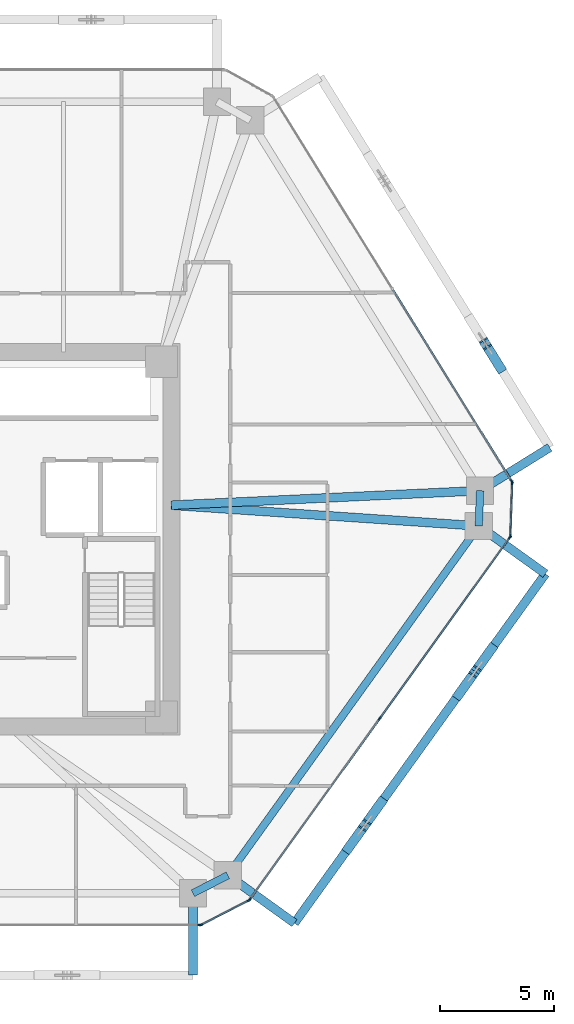
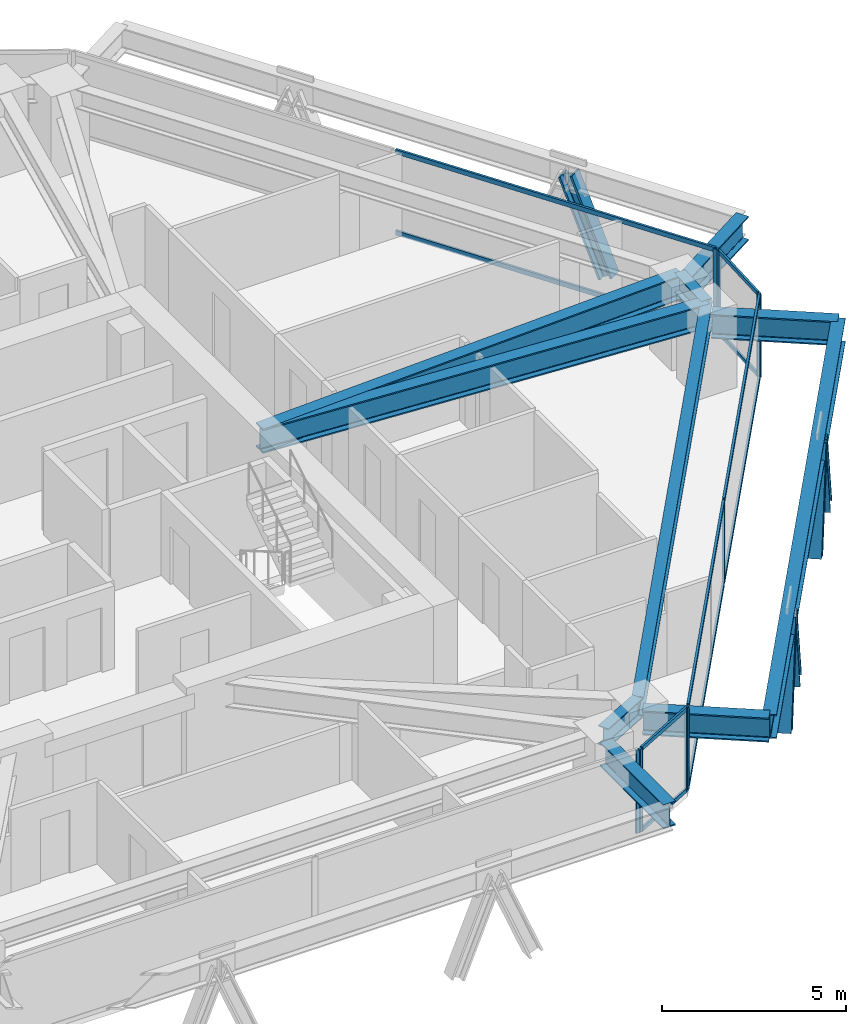
# One storey, part 5 of 17: 24 members, 10 beams, 5 elements without a shape of their own.
"""IFC4 building model written with IfcOpenShell, lengths in metres."""

from ifc_helpers import new_model, si_unit, direction, frame, origin, origin_2d, place, context, subcontext, project, spatial, rectangle, i_section, extrude, source, transform, mapped, material, layer, layer_set, material_profile, profile_set, type_object, type_shapes, element, aggregate, save


model = new_model("IFC4")

# Units and contexts
model_context = context("Model", 3, precision=1e-05, world=origin(), true_north=direction((0.0, 1.0)))
body_context = subcontext(model_context, "Body", "Model", "MODEL_VIEW")
ifc_project = project(units=[si_unit("LENGTHUNIT", "METRE"), si_unit("AREAUNIT", "SQUARE_METRE"), si_unit("VOLUMEUNIT", "CUBIC_METRE"), si_unit("PLANEANGLEUNIT", "RADIAN"), si_unit("MASSUNIT", "GRAM", prefix="KILO")], contexts=[model_context])

# Site, building, storey
site_placement = place(None, origin())
site = spatial("IfcSite", under=ifc_project, at=site_placement, CompositionType="ELEMENT")
building_placement = place(site_placement, origin())
building = spatial("IfcBuilding", under=site, at=building_placement, Name="Durnholm Broadcast Tower", CompositionType="ELEMENT")
storey_placement = place(building_placement, frame((0.0, 0.0, 143.10009765625)))
storey = spatial("IfcBuildingStorey", under=building, at=storey_placement, Name="L39", CompositionType="ELEMENT", Elevation=143.10009765625)

# Beams
ifc_material_1 = material(Name="Steel ASTM A992 Grade 50", Category="steel")
ifc_material_profile_1 = material_profile(ifc_material_1, i_section(OverallWidth=0.385009765625, OverallDepth=0.802978515625, WebThickness=0.023681640625, FlangeThickness=0.0419921875, FilletRadius=0.032958984375, at=origin_2d()), Name="W30X261")
ifc_profile_set_1 = profile_set([ifc_material_profile_1], Name="Steel ASTM A992 Grade 50")
beam_type_1 = type_object("IfcBeamType", Name="BM-EXO-TIE", PredefinedType="USERDEFINED", material=ifc_profile_set_1)
shared_shape_1 = source(origin(), body_context, "Body", "SweptSolid", [
    extrude(i_section(OverallWidth=0.385009765625, OverallDepth=0.802978515625, WebThickness=0.023681640625, FlangeThickness=0.0419921875, FilletRadius=0.032958984375, at=origin_2d()), origin(), (0.0, 0.0, 1.0), 3.4560546875),
])
for number, where, z_axis, x_axis, name in (
    (1, (11.176025390625, -15.680908203125, 2.008544921875), (0.0, -1.0, 0.0), (1.0, 0.0, 0.0), "L39 exoskeleton stand-off tie bracket F1.2"),
    (2, (12.826904296875, -14.834228515625, 2.008544921875), (0.812164951739, -0.583427880005, 0.0), (0.583427880005, 0.812164951739, 0.0), "L39 exoskeleton stand-off tie bracket F2.1"),
    (3, (23.844970703125, 0.5029296875, 2.008544921875), (0.812164951739, -0.583427880005, 0.0), (0.583427880005, 0.812164951739, 0.0), "L39 exoskeleton stand-off tie bracket F2.2"),
    (4, (23.903076171875, 2.21240234375, 2.008544921875), (0.849795112316, 0.527113144481, 0.0), (-0.527113144481, 0.849795112316, 0.0), "L39 exoskeleton stand-off tie bracket F3.1"),
):
    element("IfcBeam", number, at=place(storey_placement, frame(where, z_axis=z_axis, x_axis=x_axis)), inside=storey, type_object=beam_type_1, Name=name, ObjectType="GIRDER", PredefinedType="USERDEFINED", context=body_context, shape_type="MappedRepresentation", body=[
        mapped(shared_shape_1, transform((0.0, 0.0, 0.0), x_axis=(1.0, 0.0, 0.0), y_axis=(0.0, 1.0, 0.0), z_axis=(0.0, 0.0, 1.0), scale=1.0)),
    ])
ifc_material_profile_2 = material_profile(ifc_material_1, i_section(OverallWidth=0.3291015625, OverallDepth=0.635009765625, WebThickness=0.017822265625, FlangeThickness=0.031005859375, FilletRadius=0.02783203125, at=origin_2d()), Name="W24X162")
ifc_profile_set_2 = profile_set([ifc_material_profile_2], Name="Steel ASTM A992 Grade 50")
beam_type_2 = type_object("IfcBeamType", Name="STL-SP-W24X162", PredefinedType="SPANDREL", material=ifc_profile_set_2)
shared_shape_2 = source(origin(), body_context, "Body", "SweptSolid", [
    extrude(i_section(OverallWidth=0.3291015625, OverallDepth=0.635009765625, WebThickness=0.017822265625, FlangeThickness=0.031005859375, FilletRadius=0.02783203125, at=origin_2d()), origin(), (0.0, 0.0, 1.0), 18.884521484375),
])
beam_1_placement = place(storey_placement, frame((23.72802734375, 0.5869140625, 2.427490234375), z_axis=(-0.583443434414, -0.812153777827, 0.0), x_axis=(0.812153777827, -0.583443434414, 0.0)))
element("IfcBeam", 5, at=beam_1_placement, inside=storey, type_object=beam_type_2, Name="L39 perimeter spandrel girder 09", PredefinedType="SPANDREL", context=body_context, shape_type="MappedRepresentation", body=[
    mapped(shared_shape_2, transform((0.0, 0.0, 0.0), x_axis=(1.0, 0.0, 0.0), y_axis=(0.0, 1.0, 0.0), z_axis=(0.0, 0.0, 1.0), scale=1.0)),
])
shared_shape_3 = source(origin(), body_context, "Body", "SweptSolid", [
    extrude(i_section(OverallWidth=0.3291015625, OverallDepth=0.635009765625, WebThickness=0.017822265625, FlangeThickness=0.031005859375, FilletRadius=0.02783203125, at=origin_2d()), origin(), (0.0, 0.0, 1.0), 1.723876953125),
])
beam_2_placement = place(storey_placement, frame((12.7099609375, -14.750244140625, 2.427490234375), z_axis=(-0.889762904339, -0.456423020959, 0.0), x_axis=(0.456423020959, -0.889762904339, 0.0)))
element("IfcBeam", 6, at=beam_2_placement, inside=storey, type_object=beam_type_2, Name="L39 perimeter spandrel girder 10", PredefinedType="SPANDREL", context=body_context, shape_type="MappedRepresentation", body=[
    mapped(shared_shape_3, transform((0.0, 0.0, 0.0), x_axis=(1.0, 0.0, 0.0), y_axis=(0.0, 1.0, 0.0), z_axis=(0.0, 0.0, 1.0), scale=1.0)),
])
shared_shape_4 = source(origin(), body_context, "Body", "SweptSolid", [
    extrude(i_section(OverallWidth=0.3291015625, OverallDepth=0.635009765625, WebThickness=0.017822265625, FlangeThickness=0.031005859375, FilletRadius=0.02783203125, at=origin_2d()), origin(), (0.0, 0.0, 1.0), 1.55078125),
])
type_shapes(beam_type_2, [shared_shape_2, shared_shape_3, shared_shape_4])
beam_3_placement = place(storey_placement, frame((23.78076171875, 2.13671875, 2.427490234375), z_axis=(-0.03400678419, -0.999421602042, 0.0), x_axis=(0.999421602042, -0.03400678419, 0.0)))
element("IfcBeam", 7, at=beam_3_placement, inside=storey, type_object=beam_type_2, Name="L39 perimeter spandrel girder 08", PredefinedType="SPANDREL", context=body_context, shape_type="MappedRepresentation", body=[
    mapped(shared_shape_4, transform((0.0, 0.0, 0.0), x_axis=(1.0, 0.0, 0.0), y_axis=(0.0, 1.0, 0.0), z_axis=(0.0, 0.0, 1.0), scale=1.0)),
])
ifc_material_profile_3 = material_profile(ifc_material_1, i_section(OverallWidth=0.385009765625, OverallDepth=0.802978515625, WebThickness=0.023681640625, FlangeThickness=0.0419921875, FilletRadius=0.032958984375, at=origin_2d()), Name="W30X261")
ifc_profile_set_3 = profile_set([ifc_material_profile_3], Name="Steel ASTM A992 Grade 50")
beam_type_3 = type_object("IfcBeamType", Name="STL-GR-W30X261", PredefinedType="USERDEFINED", material=ifc_profile_set_3)
shared_shape_5 = source(origin(), body_context, "Body", "SweptSolid", [
    extrude(i_section(OverallWidth=0.385009765625, OverallDepth=0.802978515625, WebThickness=0.023681640625, FlangeThickness=0.0419921875, FilletRadius=0.032958984375, at=origin_2d()), origin(), (0.0, 0.0, 1.0), 13.570556640625),
])
beam_4_placement = place(storey_placement, frame((10.22509765625, 1.5, 2.343505859375), z_axis=(0.99889869961, 0.046918950518, 0.0), x_axis=(-0.046918950518, 0.99889869961, 0.0)))
element("IfcBeam", 8, at=beam_4_placement, inside=storey, type_object=beam_type_3, Name="L39 radial primary floor girder 08", ObjectType="GIRDER", PredefinedType="USERDEFINED", context=body_context, shape_type="MappedRepresentation", body=[
    mapped(shared_shape_5, transform((0.0, 0.0, 0.0), x_axis=(1.0, 0.0, 0.0), y_axis=(0.0, 1.0, 0.0), z_axis=(0.0, 0.0, 1.0), scale=1.0)),
])
shared_shape_6 = source(origin(), body_context, "Body", "SweptSolid", [
    extrude(i_section(OverallWidth=0.385009765625, OverallDepth=0.802978515625, WebThickness=0.023681640625, FlangeThickness=0.0419921875, FilletRadius=0.032958984375, at=origin_2d()), origin(), (0.0, 0.0, 1.0), 13.53369140625),
])
type_shapes(beam_type_3, [shared_shape_5, shared_shape_6])
beam_5_placement = place(storey_placement, frame((10.22509765625, 1.5, 2.343505859375), z_axis=(0.99772148964, -0.067467244725, 0.0), x_axis=(0.067467244725, 0.99772148964, 0.0)))
element("IfcBeam", 9, at=beam_5_placement, inside=storey, type_object=beam_type_3, Name="L39 radial primary floor girder 09", ObjectType="GIRDER", PredefinedType="USERDEFINED", context=body_context, shape_type="MappedRepresentation", body=[
    mapped(shared_shape_6, transform((0.0, 0.0, 0.0), x_axis=(1.0, 0.0, 0.0), y_axis=(0.0, 1.0, 0.0), z_axis=(0.0, 0.0, 1.0), scale=1.0)),
])
shared_shape_7 = source(origin(), body_context, "Body", "SweptSolid", [
    extrude(i_section(OverallWidth=0.385009765625, OverallDepth=0.802978515625, WebThickness=0.023681640625, FlangeThickness=0.0419921875, FilletRadius=0.032958984375, at=origin_2d()), origin(), (0.0, 0.0, 1.0), 18.884521484375),
])
type_shapes(beam_type_1, [shared_shape_1, shared_shape_7])
beam_6_placement = place(storey_placement, frame((15.6337890625, -16.8505859375, 2.008544921875), z_axis=(0.583443434414, 0.812153777827, 0.0), x_axis=(-0.812153777827, 0.583443434414, 0.0)))
element("IfcBeam", 10, at=beam_6_placement, inside=storey, type_object=beam_type_1, Name="L39 exoskeleton collector spandrel F2", PredefinedType="SPANDREL", context=body_context, shape_type="MappedRepresentation", body=[
    mapped(shared_shape_7, transform((0.0, 0.0, 0.0), x_axis=(1.0, 0.0, 0.0), y_axis=(0.0, 1.0, 0.0), z_axis=(0.0, 0.0, 1.0), scale=1.0)),
])

# Members
ifc_material_2 = material(Name="Steel ASTM A913 Grade 65", Category="steel")
ifc_material_profile_4 = material_profile(ifc_material_2, i_section(OverallWidth=0.41845703125, OverallDepth=0.455078125, WebThickness=0.0419921875, FlangeThickness=0.067626953125, FilletRadius=0.030517578125, at=origin_2d()), Name="W14X370")
ifc_profile_set_4 = profile_set([ifc_material_profile_4], Name="Steel ASTM A913 Grade 65")
member_type_1 = type_object("IfcMemberType", Name="STL-DG-W14X370", PredefinedType="BRACE", material=ifc_profile_set_4)
shared_shape_8 = source(origin(), body_context, "Body", "SweptSolid", [
    extrude(i_section(OverallWidth=0.41845703125, OverallDepth=0.455078125, WebThickness=0.0419921875, FlangeThickness=0.067626953125, FilletRadius=0.030517578125, at=origin_2d()), origin(), (0.0, 0.0, 1.0), 3.243896484375),
])
for number, where, z_axis, x_axis, name in (
    (11, (19.438720703125, -11.55419921875, -0.991455078125), (-0.221947394098, -0.308950170489, 0.924818439699), (0.812153063014, -0.583444429434, 0.0), "L39 stand-off diagrid brace F2.D1.2"),
    (12, (22.846923828125, -6.81005859375, -0.991455078125), (0.221947394098, 0.308950170489, 0.924818439699), (-0.812153063014, 0.583444429434, 0.0), "L39 stand-off diagrid brace F2.D2.1"),
    (13, (24.66552734375, 7.539794921875, -0.991455078125), (-0.200499851569, 0.323253326761, 0.924828144175), (-0.849805205368, -0.527096872433, 0.0), "L39 stand-off diagrid brace F3.D1.1"),
):
    element("IfcMember", number, at=place(storey_placement, frame(where, z_axis=z_axis, x_axis=x_axis)), inside=storey, type_object=member_type_1, Name=name, PredefinedType="BRACE", context=body_context, shape_type="MappedRepresentation", body=[
        mapped(shared_shape_8, transform((0.0, 0.0, 0.0), x_axis=(1.0, 0.0, 0.0), y_axis=(0.0, 1.0, 0.0), z_axis=(0.0, 0.0, 1.0), scale=1.0)),
    ])
shared_shape_9 = source(origin(), body_context, "Body", "SweptSolid", [
    extrude(i_section(OverallWidth=0.41845703125, OverallDepth=0.455078125, WebThickness=0.0419921875, FlangeThickness=0.067626953125, FilletRadius=0.030517578125, at=origin_2d()), origin(), (0.0, 0.0, 1.0), 3.24365234375),
])
type_shapes(member_type_1, [shared_shape_8, shared_shape_9])
for number, where, z_axis, x_axis, name in (
    (14, (17.9990234375, -13.558349609375, -0.991455078125), (0.22188099666, 0.308887249081, 0.924855389062), (-0.812179469647, 0.583407669717, 0.0), "L39 stand-off diagrid brace F2.D1.1"),
    (15, (24.28662109375, -4.805908203125, -0.991455078125), (-0.22188099666, -0.308887249081, 0.924855389062), (0.812179469647, -0.583407669717, 0.0), "L39 stand-off diagrid brace F2.D2.2"),
):
    element("IfcMember", number, at=place(storey_placement, frame(where, z_axis=z_axis, x_axis=x_axis)), inside=storey, type_object=member_type_1, Name=name, PredefinedType="BRACE", context=body_context, shape_type="MappedRepresentation", body=[
        mapped(shared_shape_9, transform((0.0, 0.0, 0.0), x_axis=(1.0, 0.0, 0.0), y_axis=(0.0, 1.0, 0.0), z_axis=(0.0, 0.0, 1.0), scale=1.0)),
    ])

# Curtain wall, members
ifc_material_3 = material(Name="Aluminium and Solar Control IGU", Category="aluminium")
ifc_layer_1 = layer(ifc_material_3, 0.1650390625)
ifc_layer_set_1 = layer_set([ifc_layer_1], Name="Aluminium and Solar Control IGU")
curtain_wall_type_1 = type_object("IfcCurtainWallType", Name="CW-SYS-5", PredefinedType="NOTDEFINED", material=ifc_layer_set_1)
curtain_wall_1_placement = place(storey_placement, origin())
curtain_wall_1 = element("IfcCurtainWall", 16, at=curtain_wall_1_placement, inside=storey, type_object=curtain_wall_type_1, Name="L39 curtain wall CW-CORNER CW-L39-CRN-07", PredefinedType="NOTDEFINED")
ifc_material_4 = material(Name="Aluminium 6063-T6", Category="aluminium")
ifc_material_profile_5 = material_profile(ifc_material_4, rectangle(XDim=0.06494140625, YDim=0.1650390625, at=origin_2d()), Name="CWM65X165")
ifc_profile_set_5 = profile_set([ifc_material_profile_5], Name="Aluminium 6063-T6")
member_type_2 = type_object("IfcMemberType", Name="CW-SYS-5-MUL", PredefinedType="MULLION", material=ifc_profile_set_5)
shared_shape_10 = source(origin(), body_context, "Body", "SweptSolid", [
    extrude(rectangle(XDim=0.06494140625, YDim=0.1650390625, at=origin_2d()), origin(), (0.0, 0.0, 1.0), 2.760009765625),
])
type_shapes(member_type_2, [shared_shape_10])
member_1_placement = place(storey_placement, frame((25.193115234375, 2.481201171875, 0.0), z_axis=(0.0, 0.0, 1.0), x_axis=(0.999424655155, -0.033916937775, 0.0)))
member_1 = element("IfcMember", 17, at=member_1_placement, type_object=member_type_2, Name="CW-CORNER mullion 1", PredefinedType="MULLION", context=body_context, shape_type="MappedRepresentation", body=[
    mapped(shared_shape_10, transform((0.0, 0.0, 0.0), x_axis=(1.0, 0.0, 0.0), y_axis=(0.0, 1.0, 0.0), z_axis=(0.0, 0.0, 1.0), scale=1.0)),
])
member_2_placement = place(storey_placement, frame((25.114013671875, 0.1474609375, 0.0), z_axis=(0.0, 0.0, 1.0), x_axis=(0.999424655155, -0.033916937775, 0.0)))
member_2 = element("IfcMember", 18, at=member_2_placement, type_object=member_type_2, Name="CW-CORNER mullion 2", PredefinedType="MULLION", context=body_context, shape_type="MappedRepresentation", body=[
    mapped(shared_shape_10, transform((0.0, 0.0, 0.0), x_axis=(1.0, 0.0, 0.0), y_axis=(0.0, 1.0, 0.0), z_axis=(0.0, 0.0, 1.0), scale=1.0)),
])

curtain_wall_2_placement = place(storey_placement, origin())
curtain_wall_2 = element("IfcCurtainWall", 19, at=curtain_wall_2_placement, inside=storey, type_object=curtain_wall_type_1, Name="L39 curtain wall CW-CORNER CW-L39-CRN-09", PredefinedType="NOTDEFINED")
member_3_placement = place(storey_placement, frame((13.620849609375, -15.8564453125, 0.0), z_axis=(0.0, 0.0, 1.0), x_axis=(0.45637332267, -0.889788396392, 0.0)))
member_3 = element("IfcMember", 20, at=member_3_placement, type_object=member_type_2, Name="CW-CORNER mullion 1", PredefinedType="MULLION", context=body_context, shape_type="MappedRepresentation", body=[
    mapped(shared_shape_10, transform((0.0, 0.0, 0.0), x_axis=(1.0, 0.0, 0.0), y_axis=(0.0, 1.0, 0.0), z_axis=(0.0, 0.0, 1.0), scale=1.0)),
])
member_4_placement = place(storey_placement, frame((11.543212890625, -16.922119140625, 0.0), z_axis=(0.0, 0.0, 1.0), x_axis=(0.45637332267, -0.889788396392, 0.0)))
member_4 = element("IfcMember", 21, at=member_4_placement, type_object=member_type_2, Name="CW-CORNER mullion 2", PredefinedType="MULLION", context=body_context, shape_type="MappedRepresentation", body=[
    mapped(shared_shape_10, transform((0.0, 0.0, 0.0), x_axis=(1.0, 0.0, 0.0), y_axis=(0.0, 1.0, 0.0), z_axis=(0.0, 0.0, 1.0), scale=1.0)),
])

# Curtain wall, member
ifc_layer_2 = layer(ifc_material_3, 0.18994140625)
ifc_layer_set_2 = layer_set([ifc_layer_2], Name="Aluminium and Solar Control IGU")
curtain_wall_type_2 = type_object("IfcCurtainWallType", Name="CW-SYS-3", PredefinedType="NOTDEFINED", material=ifc_layer_set_2)
curtain_wall_3_placement = place(storey_placement, origin())
curtain_wall_3 = element("IfcCurtainWall", 22, at=curtain_wall_3_placement, inside=storey, type_object=curtain_wall_type_2, Name="L39 curtain wall CW-Z12-VIS CW-L39-F06", PredefinedType="NOTDEFINED")
ifc_material_profile_6 = material_profile(ifc_material_4, rectangle(XDim=0.070068359375, YDim=0.18994140625, at=origin_2d()), Name="CWM70X190")
ifc_profile_set_6 = profile_set([ifc_material_profile_6], Name="Aluminium 6063-T6")
member_type_3 = type_object("IfcMemberType", Name="CW-SYS-3-MUL", PredefinedType="MULLION", material=ifc_profile_set_6)
shared_shape_11 = source(origin(), body_context, "Body", "SweptSolid", [
    extrude(rectangle(XDim=0.070068359375, YDim=0.18994140625, at=origin_2d()), origin(), (0.0, 0.0, 1.0), 2.760009765625),
])
type_shapes(member_type_3, [shared_shape_11])
member_5_placement = place(storey_placement, frame((25.17578125, 2.54345703125, 0.0), z_axis=(0.0, 0.0, 1.0), x_axis=(0.849799925229, 0.527105385176, 0.0)))
member_5 = element("IfcMember", 23, at=member_5_placement, type_object=member_type_3, Name="CW-Z12-VIS mullion 3", PredefinedType="MULLION", context=body_context, shape_type="MappedRepresentation", body=[
    mapped(shared_shape_11, transform((0.0, 0.0, 0.0), x_axis=(1.0, 0.0, 0.0), y_axis=(0.0, 1.0, 0.0), z_axis=(0.0, 0.0, 1.0), scale=1.0)),
])

# Curtain wall, members
curtain_wall_4_placement = place(storey_placement, origin())
curtain_wall_4 = element("IfcCurtainWall", 24, at=curtain_wall_4_placement, inside=storey, type_object=curtain_wall_type_2, Name="L39 curtain wall CW-Z12-VIS CW-L39-F08", PredefinedType="NOTDEFINED")
member_6_placement = place(storey_placement, frame((25.092529296875, 0.086669921875, 0.0), z_axis=(0.0, 0.0, 1.0), x_axis=(0.812152312759, -0.583445473786, 0.0)))
member_6 = element("IfcMember", 25, at=member_6_placement, type_object=member_type_3, Name="CW-Z12-VIS mullion 1", PredefinedType="MULLION", context=body_context, shape_type="MappedRepresentation", body=[
    mapped(shared_shape_11, transform((0.0, 0.0, 0.0), x_axis=(1.0, 0.0, 0.0), y_axis=(0.0, 1.0, 0.0), z_axis=(0.0, 0.0, 1.0), scale=1.0)),
])
member_7_placement = place(storey_placement, frame((19.38134765625, -7.86328125, 0.0), z_axis=(0.0, 0.0, 1.0), x_axis=(0.812152312759, -0.583445473786, 0.0)))
member_7 = element("IfcMember", 26, at=member_7_placement, type_object=member_type_3, Name="CW-Z12-VIS mullion 2", PredefinedType="MULLION", context=body_context, shape_type="MappedRepresentation", body=[
    mapped(shared_shape_11, transform((0.0, 0.0, 0.0), x_axis=(1.0, 0.0, 0.0), y_axis=(0.0, 1.0, 0.0), z_axis=(0.0, 0.0, 1.0), scale=1.0)),
])
member_8_placement = place(storey_placement, frame((13.670166015625, -15.813232421875, 0.0), z_axis=(0.0, 0.0, 1.0), x_axis=(0.812152312759, -0.583445473786, 0.0)))
member_8 = element("IfcMember", 27, at=member_8_placement, type_object=member_type_3, Name="CW-Z12-VIS mullion 3", PredefinedType="MULLION", context=body_context, shape_type="MappedRepresentation", body=[
    mapped(shared_shape_11, transform((0.0, 0.0, 0.0), x_axis=(1.0, 0.0, 0.0), y_axis=(0.0, 1.0, 0.0), z_axis=(0.0, 0.0, 1.0), scale=1.0)),
])

# Curtain wall, member
curtain_wall_5_placement = place(storey_placement, origin())
curtain_wall_5 = element("IfcCurtainWall", 28, at=curtain_wall_5_placement, inside=storey, type_object=curtain_wall_type_2, Name="L39 curtain wall CW-Z12-VIS CW-L39-F10", PredefinedType="NOTDEFINED")
member_9_placement = place(storey_placement, frame((11.479248046875, -16.93701171875, 0.0), z_axis=(0.0, 0.0, 1.0), x_axis=(0.0, -1.0, 0.0)))
member_9 = element("IfcMember", 29, at=member_9_placement, type_object=member_type_3, Name="CW-Z12-VIS mullion 1", PredefinedType="MULLION", context=body_context, shape_type="MappedRepresentation", body=[
    mapped(shared_shape_11, transform((0.0, 0.0, 0.0), x_axis=(1.0, 0.0, 0.0), y_axis=(0.0, 1.0, 0.0), z_axis=(0.0, 0.0, 1.0), scale=1.0)),
])
aggregate(curtain_wall_5, [member_9])

# Member
ifc_material_profile_7 = material_profile(ifc_material_4, rectangle(XDim=0.06494140625, YDim=0.1298828125, at=origin_2d()), Name="CWT65X130")
ifc_profile_set_7 = profile_set([ifc_material_profile_7], Name="Aluminium 6063-T6")
member_type_4 = type_object("IfcMemberType", Name="CW-SYS-5-TRN", PredefinedType="USERDEFINED", material=ifc_profile_set_7)
shared_shape_12 = source(origin(), body_context, "Body", "SweptSolid", [
    extrude(rectangle(XDim=0.06494140625, YDim=0.1298828125, at=origin_2d()), origin(), (0.0, 0.0, 1.0), 2.27001953125),
])
type_shapes(member_type_4, [shared_shape_12])
member_10_placement = place(storey_placement, frame((25.192138671875, 2.44873046875, 0.032470703125), z_axis=(-0.03398444704, -0.999422361847, 0.0), x_axis=(0.999422361847, -0.03398444704, 0.0)))
member_10 = element("IfcMember", 30, at=member_10_placement, type_object=member_type_4, Name="CW-CORNER transom 1.1", ObjectType="TRANSOM", PredefinedType="USERDEFINED", context=body_context, shape_type="MappedRepresentation", body=[
    mapped(shared_shape_12, transform((0.0, 0.0, 0.0), x_axis=(1.0, 0.0, 0.0), y_axis=(0.0, 1.0, 0.0), z_axis=(0.0, 0.0, 1.0), scale=1.0)),
])

member_11_placement = place(storey_placement, frame((25.192138671875, 2.44873046875, 2.727294921875), z_axis=(-0.03398444704, -0.999422361847, 0.0), x_axis=(0.999422361847, -0.03398444704, 0.0)))
member_11 = element("IfcMember", 31, at=member_11_placement, type_object=member_type_4, Name="CW-CORNER transom 1.2", ObjectType="TRANSOM", PredefinedType="USERDEFINED", context=body_context, shape_type="MappedRepresentation", body=[
    mapped(shared_shape_12, transform((0.0, 0.0, 0.0), x_axis=(1.0, 0.0, 0.0), y_axis=(0.0, 1.0, 0.0), z_axis=(0.0, 0.0, 1.0), scale=1.0)),
])

aggregate(curtain_wall_1, [member_1, member_2, member_10, member_11])

member_12_placement = place(storey_placement, frame((13.591796875, -15.871337890625, 0.032470703125), z_axis=(-0.889798425843, -0.456353767781, 0.0), x_axis=(0.456353767781, -0.889798425843, 0.0)))
member_12 = element("IfcMember", 32, at=member_12_placement, type_object=member_type_4, Name="CW-CORNER transom 1.1", ObjectType="TRANSOM", PredefinedType="USERDEFINED", context=body_context, shape_type="MappedRepresentation", body=[
    mapped(shared_shape_12, transform((0.0, 0.0, 0.0), x_axis=(1.0, 0.0, 0.0), y_axis=(0.0, 1.0, 0.0), z_axis=(0.0, 0.0, 1.0), scale=1.0)),
])

member_13_placement = place(storey_placement, frame((13.591796875, -15.871337890625, 2.727294921875), z_axis=(-0.889798425843, -0.456353767781, 0.0), x_axis=(0.456353767781, -0.889798425843, 0.0)))
member_13 = element("IfcMember", 33, at=member_13_placement, type_object=member_type_4, Name="CW-CORNER transom 1.2", ObjectType="TRANSOM", PredefinedType="USERDEFINED", context=body_context, shape_type="MappedRepresentation", body=[
    mapped(shared_shape_12, transform((0.0, 0.0, 0.0), x_axis=(1.0, 0.0, 0.0), y_axis=(0.0, 1.0, 0.0), z_axis=(0.0, 0.0, 1.0), scale=1.0)),
])

aggregate(curtain_wall_2, [member_3, member_4, member_12, member_13])

ifc_material_profile_8 = material_profile(ifc_material_4, rectangle(XDim=0.070068359375, YDim=0.14990234375, at=origin_2d()), Name="CWT70X150")
ifc_profile_set_8 = profile_set([ifc_material_profile_8], Name="Aluminium 6063-T6")
member_type_5 = type_object("IfcMemberType", Name="CW-SYS-3-TRN", PredefinedType="USERDEFINED", material=ifc_profile_set_8)
shared_shape_13 = source(origin(), body_context, "Body", "SweptSolid", [
    extrude(rectangle(XDim=0.070068359375, YDim=0.14990234375, at=origin_2d()), origin(), (0.0, 0.0, 1.0), 9.71875),
])
member_14_placement = place(storey_placement, frame((25.072021484375, 0.05810546875, 0.034912109375), z_axis=(-0.583450726174, -0.812148539448, 0.0), x_axis=(0.812148539448, -0.583450726174, 0.0)))
member_14 = element("IfcMember", 34, at=member_14_placement, type_object=member_type_5, Name="CW-Z12-VIS transom 1.1", ObjectType="TRANSOM", PredefinedType="USERDEFINED", context=body_context, shape_type="MappedRepresentation", body=[
    mapped(shared_shape_13, transform((0.0, 0.0, 0.0), x_axis=(1.0, 0.0, 0.0), y_axis=(0.0, 1.0, 0.0), z_axis=(0.0, 0.0, 1.0), scale=1.0)),
])

member_15_placement = place(storey_placement, frame((25.072021484375, 0.05810546875, 2.724853515625), z_axis=(-0.583450726174, -0.812148539448, 0.0), x_axis=(0.812148539448, -0.583450726174, 0.0)))
member_15 = element("IfcMember", 35, at=member_15_placement, type_object=member_type_5, Name="CW-Z12-VIS transom 1.2", ObjectType="TRANSOM", PredefinedType="USERDEFINED", context=body_context, shape_type="MappedRepresentation", body=[
    mapped(shared_shape_13, transform((0.0, 0.0, 0.0), x_axis=(1.0, 0.0, 0.0), y_axis=(0.0, 1.0, 0.0), z_axis=(0.0, 0.0, 1.0), scale=1.0)),
])

member_16_placement = place(storey_placement, frame((19.36083984375, -7.891845703125, 0.034912109375), z_axis=(-0.583450726174, -0.812148539448, 0.0), x_axis=(0.812148539448, -0.583450726174, 0.0)))
member_16 = element("IfcMember", 36, at=member_16_placement, type_object=member_type_5, Name="CW-Z12-VIS transom 2.1", ObjectType="TRANSOM", PredefinedType="USERDEFINED", context=body_context, shape_type="MappedRepresentation", body=[
    mapped(shared_shape_13, transform((0.0, 0.0, 0.0), x_axis=(1.0, 0.0, 0.0), y_axis=(0.0, 1.0, 0.0), z_axis=(0.0, 0.0, 1.0), scale=1.0)),
])

member_17_placement = place(storey_placement, frame((19.36083984375, -7.891845703125, 2.724853515625), z_axis=(-0.583450726174, -0.812148539448, 0.0), x_axis=(0.812148539448, -0.583450726174, 0.0)))
member_17 = element("IfcMember", 37, at=member_17_placement, type_object=member_type_5, Name="CW-Z12-VIS transom 2.2", ObjectType="TRANSOM", PredefinedType="USERDEFINED", context=body_context, shape_type="MappedRepresentation", body=[
    mapped(shared_shape_13, transform((0.0, 0.0, 0.0), x_axis=(1.0, 0.0, 0.0), y_axis=(0.0, 1.0, 0.0), z_axis=(0.0, 0.0, 1.0), scale=1.0)),
])

aggregate(curtain_wall_4, [member_6, member_7, member_8, member_14, member_15, member_16, member_17])

shared_shape_14 = source(origin(), body_context, "Body", "SweptSolid", [
    extrude(rectangle(XDim=0.070068359375, YDim=0.14990234375, at=origin_2d()), origin(), (0.0, 0.0, 1.0), 9.859130859375),
])
type_shapes(member_type_5, [shared_shape_13, shared_shape_14])
member_18_placement = place(storey_placement, frame((19.960693359375, 10.951171875, 0.034912109375), z_axis=(0.527108872232, -0.849797762303, 0.0), x_axis=(0.849797762303, 0.527108872232, 0.0)))
member_18 = element("IfcMember", 38, at=member_18_placement, type_object=member_type_5, Name="CW-Z12-VIS transom 2.1", ObjectType="TRANSOM", PredefinedType="USERDEFINED", context=body_context, shape_type="MappedRepresentation", body=[
    mapped(shared_shape_14, transform((0.0, 0.0, 0.0), x_axis=(1.0, 0.0, 0.0), y_axis=(0.0, 1.0, 0.0), z_axis=(0.0, 0.0, 1.0), scale=1.0)),
])

member_19_placement = place(storey_placement, frame((19.960693359375, 10.951171875, 2.724853515625), z_axis=(0.527108872232, -0.849797762303, 0.0), x_axis=(0.849797762303, 0.527108872232, 0.0)))
member_19 = element("IfcMember", 39, at=member_19_placement, type_object=member_type_5, Name="CW-Z12-VIS transom 2.2", ObjectType="TRANSOM", PredefinedType="USERDEFINED", context=body_context, shape_type="MappedRepresentation", body=[
    mapped(shared_shape_14, transform((0.0, 0.0, 0.0), x_axis=(1.0, 0.0, 0.0), y_axis=(0.0, 1.0, 0.0), z_axis=(0.0, 0.0, 1.0), scale=1.0)),
])

aggregate(curtain_wall_3, [member_5, member_18, member_19])

save(model, "model.ifc")
